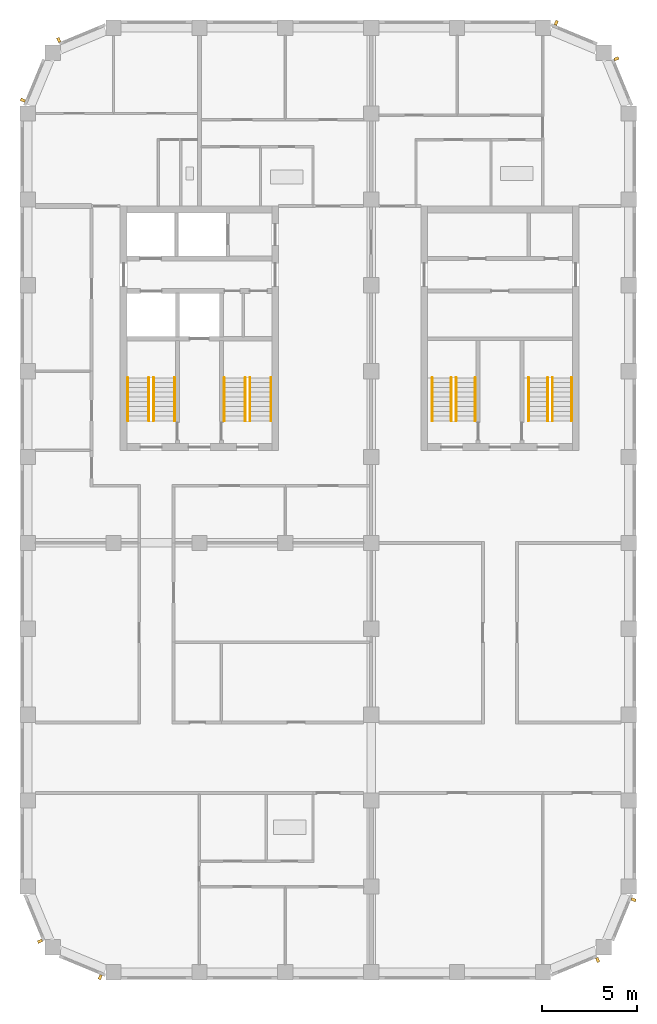
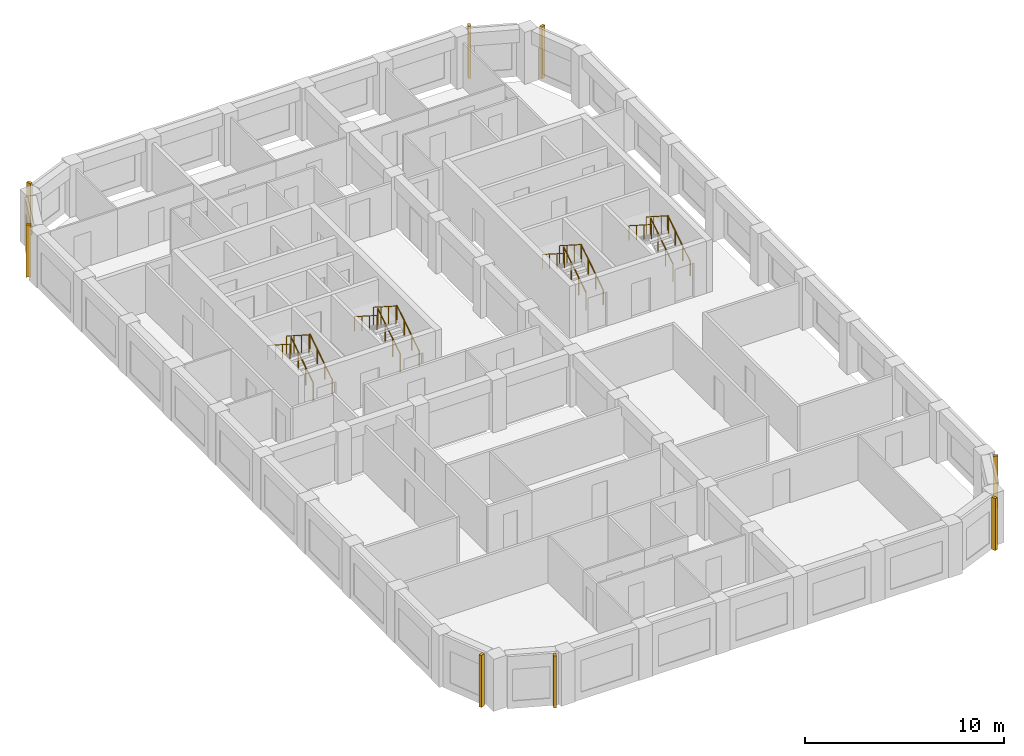
# One storey, part 8 of 9: 16 railings, 8 shading devices.
"""IFC4 building model written with IfcOpenShell, lengths in metres."""

from ifc_helpers import new_model, si_unit, direction, frame, origin, origin_2d, place, context, subcontext, project, spatial, rectangle, circle, extrude, material, type_object, element, save


model = new_model("IFC4")

# Units and contexts
model_context = context("Model", 3, precision=1e-05, world=origin(), true_north=direction((0.0, 1.0)))
body_context = subcontext(model_context, "Body", "Model", "MODEL_VIEW")
ifc_project = project(units=[si_unit("LENGTHUNIT", "METRE"), si_unit("AREAUNIT", "SQUARE_METRE"), si_unit("VOLUMEUNIT", "CUBIC_METRE"), si_unit("PLANEANGLEUNIT", "RADIAN"), si_unit("MASSUNIT", "GRAM", prefix="KILO")], contexts=[model_context])

# Site, building, storey
site_placement = place(None, origin())
site = spatial("IfcSite", under=ifc_project, at=site_placement, CompositionType="ELEMENT")
building_placement = place(site_placement, origin())
building = spatial("IfcBuilding", under=site, at=building_placement, Name="Girih Gate Residences", CompositionType="ELEMENT")
storey_placement = place(building_placement, frame((0.0, 0.0, 206.89501953125)))
storey = spatial("IfcBuildingStorey", under=building, at=storey_placement, Name="L57", CompositionType="ELEMENT", Elevation=206.89501953125)

# Shading devices
ifc_material_1 = material(Name="Precast concrete C50/60", Category="concrete")
shading_device_type = type_object("IfcShadingDeviceType", Name="Corner rib 150x250", PredefinedType="USERDEFINED", material=ifc_material_1)
for number, where, z_axis, x_axis, name in (
    (1, (29.867919921875, 0.646728515625, 0.0), (0.0, 0.0, 1.0), (0.923879532511, 0.382683432365, 0.0), "Corner rib SE0270_0000.0"),
    (2, (31.752685546875, 3.80322265625, 0.0), (0.0, 0.0, 1.0), (0.382683432365, 0.923879532511, 0.0), "Corner rib SE0302_0013.0"),
    (3, (30.853271484375, 47.867919921875, 0.0), (0.0, 0.0, 1.0), (-0.382683432365, 0.923879532511, 0.0), "Corner rib NE0315_0450.0"),
    (4, (27.69677734375, 49.752685546875, 0.0), (0.0, 0.0, 1.0), (-0.923879532511, 0.382683432365, 0.0), "Corner rib NE0302_0482.0"),
    (5, (1.632080078125, 48.853271484375, 0.0), (0.0, 0.0, 1.0), (-0.923879532511, -0.382683432365, 0.0), "Corner rib NW0045_0495.0"),
    (6, (-0.252685546875, 45.69677734375, 0.0), (0.0, 0.0, 1.0), (-0.382683432365, -0.923879532511, 0.0), "Corner rib NW0013_0482.0"),
    (7, (0.646728515625, 1.632080078125, 0.0), (0.0, 0.0, 1.0), (0.382683432365, -0.923879532511, 0.0), "Corner rib SW0000_0045.0"),
    (8, (3.80322265625, -0.252685546875, 0.0), (0.0, 0.0, 1.0), (0.923879532511, -0.382683432365, 0.0), "Corner rib SW0013_0013.0"),
):
    element("IfcShadingDevice", number, at=place(storey_placement, frame(where, z_axis=z_axis, x_axis=x_axis)), inside=storey, type_object=shading_device_type, Name=name, ObjectType="FIN", PredefinedType="USERDEFINED", context=body_context, shape_type="SweptSolid", body=[
        extrude(rectangle(XDim=0.14990234375, YDim=0.25, at=origin_2d()), origin(), (0.0, 0.0, 1.0), 3.199951171875),
    ])

# Railings
ifc_material_2 = material(Name="Stainless steel", Category="steel")
railing_type_1 = type_object("IfcRailingType", Name="Stair guard 1100", PredefinedType="GUARDRAIL", material=ifc_material_2)
railing_1_placement = place(storey_placement, frame((6.60009765625, 28.89990234375, 0.159912109375)))
element("IfcRailing", 9, at=railing_1_placement, inside=storey, type_object=railing_type_1, Name="L57 ST-W1 stair guard 1", PredefinedType="GUARDRAIL", context=body_context, shape_type="SweptSolid", body=[
    extrude(circle(Radius=0.02392578125, at=origin_2d()), frame((0.0, 0.0, 1.076171875), z_axis=(0.0, 0.842239864353, 0.539102968731), x_axis=(-1.0, 0.0, 0.0)), (0.0, 0.0, 1.0), 2.67138671875),
    extrude(circle(Radius=0.02099609375, at=origin_2d()), origin(), (0.0, 0.0, 1.0), 1.052001953125),
    extrude(circle(Radius=0.02099609375, at=origin_2d()), frame((0.0, 0.75, 0.47998046875)), (0.0, 0.0, 1.0), 1.052001953125),
    extrude(circle(Radius=0.02099609375, at=origin_2d()), frame((0.0, 1.5, 0.960205078125)), (0.0, 0.0, 1.0), 1.052001953125),
    extrude(circle(Radius=0.02099609375, at=origin_2d()), frame((0.0, 2.25, 1.440185546875)), (0.0, 0.0, 1.0), 1.052001953125),
])
railing_2_placement = place(storey_placement, frame((6.35009765625, 31.14990234375, 1.760009765625)))
element("IfcRailing", 10, at=railing_2_placement, inside=storey, type_object=railing_type_1, Name="L57 ST-W1 stair guard 2", PredefinedType="GUARDRAIL", context=body_context, shape_type="SweptSolid", body=[
    extrude(circle(Radius=0.02392578125, at=origin_2d()), frame((0.0, 0.0, 1.076171875), z_axis=(0.0, -0.842281359387, 0.539038135598), x_axis=(1.0, 0.0, 0.0)), (0.0, 0.0, 1.0), 2.67138671875),
    extrude(circle(Radius=0.02099609375, at=origin_2d()), origin(), (0.0, 0.0, 1.0), 1.052001953125),
    extrude(circle(Radius=0.02099609375, at=origin_2d()), frame((0.0, -0.75, 0.47998046875)), (0.0, 0.0, 1.0), 1.052001953125),
    extrude(circle(Radius=0.02099609375, at=origin_2d()), frame((0.0, -1.5, 0.9599609375)), (0.0, 0.0, 1.0), 1.052001953125),
    extrude(circle(Radius=0.02099609375, at=origin_2d()), frame((0.0, -2.25, 1.43994140625)), (0.0, 0.0, 1.0), 1.052001953125),
])
railing_3_placement = place(storey_placement, frame((11.64990234375, 28.89990234375, 0.159912109375)))
element("IfcRailing", 11, at=railing_3_placement, inside=storey, type_object=railing_type_1, Name="L57 ST-W2 stair guard 1", PredefinedType="GUARDRAIL", context=body_context, shape_type="SweptSolid", body=[
    extrude(circle(Radius=0.02392578125, at=origin_2d()), frame((0.0, 0.0, 1.076171875), z_axis=(0.0, 0.842239864353, 0.539102968731), x_axis=(-1.0, 0.0, 0.0)), (0.0, 0.0, 1.0), 2.67138671875),
    extrude(circle(Radius=0.02099609375, at=origin_2d()), origin(), (0.0, 0.0, 1.0), 1.052001953125),
    extrude(circle(Radius=0.02099609375, at=origin_2d()), frame((0.0, 0.75, 0.47998046875)), (0.0, 0.0, 1.0), 1.052001953125),
    extrude(circle(Radius=0.02099609375, at=origin_2d()), frame((0.0, 1.5, 0.960205078125)), (0.0, 0.0, 1.0), 1.052001953125),
    extrude(circle(Radius=0.02099609375, at=origin_2d()), frame((0.0, 2.25, 1.440185546875)), (0.0, 0.0, 1.0), 1.052001953125),
])
railing_4_placement = place(storey_placement, frame((11.39990234375, 31.14990234375, 1.760009765625)))
element("IfcRailing", 12, at=railing_4_placement, inside=storey, type_object=railing_type_1, Name="L57 ST-W2 stair guard 2", PredefinedType="GUARDRAIL", context=body_context, shape_type="SweptSolid", body=[
    extrude(circle(Radius=0.02392578125, at=origin_2d()), frame((0.0, 0.0, 1.076171875), z_axis=(0.0, -0.842281359387, 0.539038135598), x_axis=(1.0, 0.0, 0.0)), (0.0, 0.0, 1.0), 2.67138671875),
    extrude(circle(Radius=0.02099609375, at=origin_2d()), origin(), (0.0, 0.0, 1.0), 1.052001953125),
    extrude(circle(Radius=0.02099609375, at=origin_2d()), frame((0.0, -0.75, 0.47998046875)), (0.0, 0.0, 1.0), 1.052001953125),
    extrude(circle(Radius=0.02099609375, at=origin_2d()), frame((0.0, -1.5, 0.9599609375)), (0.0, 0.0, 1.0), 1.052001953125),
    extrude(circle(Radius=0.02099609375, at=origin_2d()), frame((0.0, -2.25, 1.43994140625)), (0.0, 0.0, 1.0), 1.052001953125),
])
railing_5_placement = place(storey_placement, frame((22.449951171875, 28.89990234375, 0.159912109375)))
element("IfcRailing", 13, at=railing_5_placement, inside=storey, type_object=railing_type_1, Name="L57 ST-C1 stair guard 1", PredefinedType="GUARDRAIL", context=body_context, shape_type="SweptSolid", body=[
    extrude(circle(Radius=0.02392578125, at=origin_2d()), frame((0.0, 0.0, 1.076171875), z_axis=(0.0, 0.842239864353, 0.539102968731), x_axis=(-1.0, 0.0, 0.0)), (0.0, 0.0, 1.0), 2.67138671875),
    extrude(circle(Radius=0.02099609375, at=origin_2d()), origin(), (0.0, 0.0, 1.0), 1.052001953125),
    extrude(circle(Radius=0.02099609375, at=origin_2d()), frame((0.0, 0.75, 0.47998046875)), (0.0, 0.0, 1.0), 1.052001953125),
    extrude(circle(Radius=0.02099609375, at=origin_2d()), frame((0.0, 1.5, 0.960205078125)), (0.0, 0.0, 1.0), 1.052001953125),
    extrude(circle(Radius=0.02099609375, at=origin_2d()), frame((0.0, 2.25, 1.440185546875)), (0.0, 0.0, 1.0), 1.052001953125),
])
railing_6_placement = place(storey_placement, frame((22.199951171875, 31.14990234375, 1.760009765625)))
element("IfcRailing", 14, at=railing_6_placement, inside=storey, type_object=railing_type_1, Name="L57 ST-C1 stair guard 2", PredefinedType="GUARDRAIL", context=body_context, shape_type="SweptSolid", body=[
    extrude(circle(Radius=0.02392578125, at=origin_2d()), frame((0.0, 0.0, 1.076171875), z_axis=(0.0, -0.842281359387, 0.539038135598), x_axis=(1.0, 0.0, 0.0)), (0.0, 0.0, 1.0), 2.67138671875),
    extrude(circle(Radius=0.02099609375, at=origin_2d()), origin(), (0.0, 0.0, 1.0), 1.052001953125),
    extrude(circle(Radius=0.02099609375, at=origin_2d()), frame((0.0, -0.75, 0.47998046875)), (0.0, 0.0, 1.0), 1.052001953125),
    extrude(circle(Radius=0.02099609375, at=origin_2d()), frame((0.0, -1.5, 0.9599609375)), (0.0, 0.0, 1.0), 1.052001953125),
    extrude(circle(Radius=0.02099609375, at=origin_2d()), frame((0.0, -2.25, 1.43994140625)), (0.0, 0.0, 1.0), 1.052001953125),
])
railing_7_placement = place(storey_placement, frame((27.5, 28.89990234375, 0.159912109375)))
element("IfcRailing", 15, at=railing_7_placement, inside=storey, type_object=railing_type_1, Name="L57 ST-C2 stair guard 1", PredefinedType="GUARDRAIL", context=body_context, shape_type="SweptSolid", body=[
    extrude(circle(Radius=0.02392578125, at=origin_2d()), frame((0.0, 0.0, 1.076171875), z_axis=(0.0, 0.842239864353, 0.539102968731), x_axis=(-1.0, 0.0, 0.0)), (0.0, 0.0, 1.0), 2.67138671875),
    extrude(circle(Radius=0.02099609375, at=origin_2d()), origin(), (0.0, 0.0, 1.0), 1.052001953125),
    extrude(circle(Radius=0.02099609375, at=origin_2d()), frame((0.0, 0.75, 0.47998046875)), (0.0, 0.0, 1.0), 1.052001953125),
    extrude(circle(Radius=0.02099609375, at=origin_2d()), frame((0.0, 1.5, 0.960205078125)), (0.0, 0.0, 1.0), 1.052001953125),
    extrude(circle(Radius=0.02099609375, at=origin_2d()), frame((0.0, 2.25, 1.440185546875)), (0.0, 0.0, 1.0), 1.052001953125),
])
railing_8_placement = place(storey_placement, frame((27.25, 31.14990234375, 1.760009765625)))
element("IfcRailing", 16, at=railing_8_placement, inside=storey, type_object=railing_type_1, Name="L57 ST-C2 stair guard 2", PredefinedType="GUARDRAIL", context=body_context, shape_type="SweptSolid", body=[
    extrude(circle(Radius=0.02392578125, at=origin_2d()), frame((0.0, 0.0, 1.076171875), z_axis=(0.0, -0.842281359387, 0.539038135598), x_axis=(1.0, 0.0, 0.0)), (0.0, 0.0, 1.0), 2.67138671875),
    extrude(circle(Radius=0.02099609375, at=origin_2d()), origin(), (0.0, 0.0, 1.0), 1.052001953125),
    extrude(circle(Radius=0.02099609375, at=origin_2d()), frame((0.0, -0.75, 0.47998046875)), (0.0, 0.0, 1.0), 1.052001953125),
    extrude(circle(Radius=0.02099609375, at=origin_2d()), frame((0.0, -1.5, 0.9599609375)), (0.0, 0.0, 1.0), 1.052001953125),
    extrude(circle(Radius=0.02099609375, at=origin_2d()), frame((0.0, -2.25, 1.43994140625)), (0.0, 0.0, 1.0), 1.052001953125),
])
railing_type_2 = type_object("IfcRailingType", Name="Stair handrail 900", PredefinedType="HANDRAIL", material=ifc_material_2)
railing_9_placement = place(storey_placement, frame((7.699951171875, 28.89990234375, 0.159912109375)))
element("IfcRailing", 17, at=railing_9_placement, inside=storey, type_object=railing_type_2, Name="L57 ST-W1 stair handrail 1", PredefinedType="HANDRAIL", context=body_context, shape_type="SweptSolid", body=[
    extrude(circle(Radius=0.02392578125, at=origin_2d()), frame((0.0, 0.0, 0.8857421875), z_axis=(0.0, 0.842239864353, 0.539102968731), x_axis=(-1.0, 0.0, 0.0)), (0.0, 0.0, 1.0), 2.67138671875),
    extrude(circle(Radius=0.02099609375, at=origin_2d()), origin(), (0.0, 0.0, 1.0), 0.86181640625),
    extrude(circle(Radius=0.02099609375, at=origin_2d()), frame((0.0, 0.75, 0.47998046875)), (0.0, 0.0, 1.0), 0.86181640625),
    extrude(circle(Radius=0.02099609375, at=origin_2d()), frame((0.0, 1.5, 0.960205078125)), (0.0, 0.0, 1.0), 0.86181640625),
    extrude(circle(Radius=0.02099609375, at=origin_2d()), frame((0.0, 2.25, 1.440185546875)), (0.0, 0.0, 1.0), 0.86181640625),
])
railing_10_placement = place(storey_placement, frame((5.25, 31.14990234375, 1.760009765625)))
element("IfcRailing", 18, at=railing_10_placement, inside=storey, type_object=railing_type_2, Name="L57 ST-W1 stair handrail 2", PredefinedType="HANDRAIL", context=body_context, shape_type="SweptSolid", body=[
    extrude(circle(Radius=0.02392578125, at=origin_2d()), frame((0.0, 0.0, 0.8857421875), z_axis=(0.0, -0.842281359387, 0.539038135598), x_axis=(1.0, 0.0, 0.0)), (0.0, 0.0, 1.0), 2.67138671875),
    extrude(circle(Radius=0.02099609375, at=origin_2d()), origin(), (0.0, 0.0, 1.0), 0.86181640625),
    extrude(circle(Radius=0.02099609375, at=origin_2d()), frame((0.0, -0.75, 0.47998046875)), (0.0, 0.0, 1.0), 0.86181640625),
    extrude(circle(Radius=0.02099609375, at=origin_2d()), frame((0.0, -1.5, 0.9599609375)), (0.0, 0.0, 1.0), 0.86181640625),
    extrude(circle(Radius=0.02099609375, at=origin_2d()), frame((0.0, -2.25, 1.43994140625)), (0.0, 0.0, 1.0), 0.86181640625),
])
railing_11_placement = place(storey_placement, frame((12.75, 28.89990234375, 0.159912109375)))
element("IfcRailing", 19, at=railing_11_placement, inside=storey, type_object=railing_type_2, Name="L57 ST-W2 stair handrail 1", PredefinedType="HANDRAIL", context=body_context, shape_type="SweptSolid", body=[
    extrude(circle(Radius=0.02392578125, at=origin_2d()), frame((0.0, 0.0, 0.8857421875), z_axis=(0.0, 0.842239864353, 0.539102968731), x_axis=(-1.0, 0.0, 0.0)), (0.0, 0.0, 1.0), 2.67138671875),
    extrude(circle(Radius=0.02099609375, at=origin_2d()), origin(), (0.0, 0.0, 1.0), 0.86181640625),
    extrude(circle(Radius=0.02099609375, at=origin_2d()), frame((0.0, 0.75, 0.47998046875)), (0.0, 0.0, 1.0), 0.86181640625),
    extrude(circle(Radius=0.02099609375, at=origin_2d()), frame((0.0, 1.5, 0.960205078125)), (0.0, 0.0, 1.0), 0.86181640625),
    extrude(circle(Radius=0.02099609375, at=origin_2d()), frame((0.0, 2.25, 1.440185546875)), (0.0, 0.0, 1.0), 0.86181640625),
])
railing_12_placement = place(storey_placement, frame((10.300048828125, 31.14990234375, 1.760009765625)))
element("IfcRailing", 20, at=railing_12_placement, inside=storey, type_object=railing_type_2, Name="L57 ST-W2 stair handrail 2", PredefinedType="HANDRAIL", context=body_context, shape_type="SweptSolid", body=[
    extrude(circle(Radius=0.02392578125, at=origin_2d()), frame((0.0, 0.0, 0.8857421875), z_axis=(0.0, -0.842281359387, 0.539038135598), x_axis=(1.0, 0.0, 0.0)), (0.0, 0.0, 1.0), 2.67138671875),
    extrude(circle(Radius=0.02099609375, at=origin_2d()), origin(), (0.0, 0.0, 1.0), 0.86181640625),
    extrude(circle(Radius=0.02099609375, at=origin_2d()), frame((0.0, -0.75, 0.47998046875)), (0.0, 0.0, 1.0), 0.86181640625),
    extrude(circle(Radius=0.02099609375, at=origin_2d()), frame((0.0, -1.5, 0.9599609375)), (0.0, 0.0, 1.0), 0.86181640625),
    extrude(circle(Radius=0.02099609375, at=origin_2d()), frame((0.0, -2.25, 1.43994140625)), (0.0, 0.0, 1.0), 0.86181640625),
])
railing_13_placement = place(storey_placement, frame((23.449951171875, 28.89990234375, 0.159912109375)))
element("IfcRailing", 21, at=railing_13_placement, inside=storey, type_object=railing_type_2, Name="L57 ST-C1 stair handrail 1", PredefinedType="HANDRAIL", context=body_context, shape_type="SweptSolid", body=[
    extrude(circle(Radius=0.02392578125, at=origin_2d()), frame((0.0, 0.0, 0.8857421875), z_axis=(0.0, 0.842239864353, 0.539102968731), x_axis=(-1.0, 0.0, 0.0)), (0.0, 0.0, 1.0), 2.67138671875),
    extrude(circle(Radius=0.02099609375, at=origin_2d()), origin(), (0.0, 0.0, 1.0), 0.86181640625),
    extrude(circle(Radius=0.02099609375, at=origin_2d()), frame((0.0, 0.75, 0.47998046875)), (0.0, 0.0, 1.0), 0.86181640625),
    extrude(circle(Radius=0.02099609375, at=origin_2d()), frame((0.0, 1.5, 0.960205078125)), (0.0, 0.0, 1.0), 0.86181640625),
    extrude(circle(Radius=0.02099609375, at=origin_2d()), frame((0.0, 2.25, 1.440185546875)), (0.0, 0.0, 1.0), 0.86181640625),
])
railing_14_placement = place(storey_placement, frame((21.199951171875, 31.14990234375, 1.760009765625)))
element("IfcRailing", 22, at=railing_14_placement, inside=storey, type_object=railing_type_2, Name="L57 ST-C1 stair handrail 2", PredefinedType="HANDRAIL", context=body_context, shape_type="SweptSolid", body=[
    extrude(circle(Radius=0.02392578125, at=origin_2d()), frame((0.0, 0.0, 0.8857421875), z_axis=(0.0, -0.842281359387, 0.539038135598), x_axis=(1.0, 0.0, 0.0)), (0.0, 0.0, 1.0), 2.67138671875),
    extrude(circle(Radius=0.02099609375, at=origin_2d()), origin(), (0.0, 0.0, 1.0), 0.86181640625),
    extrude(circle(Radius=0.02099609375, at=origin_2d()), frame((0.0, -0.75, 0.47998046875)), (0.0, 0.0, 1.0), 0.86181640625),
    extrude(circle(Radius=0.02099609375, at=origin_2d()), frame((0.0, -1.5, 0.9599609375)), (0.0, 0.0, 1.0), 0.86181640625),
    extrude(circle(Radius=0.02099609375, at=origin_2d()), frame((0.0, -2.25, 1.43994140625)), (0.0, 0.0, 1.0), 0.86181640625),
])
railing_15_placement = place(storey_placement, frame((28.5, 28.89990234375, 0.159912109375)))
element("IfcRailing", 23, at=railing_15_placement, inside=storey, type_object=railing_type_2, Name="L57 ST-C2 stair handrail 1", PredefinedType="HANDRAIL", context=body_context, shape_type="SweptSolid", body=[
    extrude(circle(Radius=0.02392578125, at=origin_2d()), frame((0.0, 0.0, 0.8857421875), z_axis=(0.0, 0.842239864353, 0.539102968731), x_axis=(-1.0, 0.0, 0.0)), (0.0, 0.0, 1.0), 2.67138671875),
    extrude(circle(Radius=0.02099609375, at=origin_2d()), origin(), (0.0, 0.0, 1.0), 0.86181640625),
    extrude(circle(Radius=0.02099609375, at=origin_2d()), frame((0.0, 0.75, 0.47998046875)), (0.0, 0.0, 1.0), 0.86181640625),
    extrude(circle(Radius=0.02099609375, at=origin_2d()), frame((0.0, 1.5, 0.960205078125)), (0.0, 0.0, 1.0), 0.86181640625),
    extrude(circle(Radius=0.02099609375, at=origin_2d()), frame((0.0, 2.25, 1.440185546875)), (0.0, 0.0, 1.0), 0.86181640625),
])
railing_16_placement = place(storey_placement, frame((26.25, 31.14990234375, 1.760009765625)))
element("IfcRailing", 24, at=railing_16_placement, inside=storey, type_object=railing_type_2, Name="L57 ST-C2 stair handrail 2", PredefinedType="HANDRAIL", context=body_context, shape_type="SweptSolid", body=[
    extrude(circle(Radius=0.02392578125, at=origin_2d()), frame((0.0, 0.0, 0.8857421875), z_axis=(0.0, -0.842281359387, 0.539038135598), x_axis=(1.0, 0.0, 0.0)), (0.0, 0.0, 1.0), 2.67138671875),
    extrude(circle(Radius=0.02099609375, at=origin_2d()), origin(), (0.0, 0.0, 1.0), 0.86181640625),
    extrude(circle(Radius=0.02099609375, at=origin_2d()), frame((0.0, -0.75, 0.47998046875)), (0.0, 0.0, 1.0), 0.86181640625),
    extrude(circle(Radius=0.02099609375, at=origin_2d()), frame((0.0, -1.5, 0.9599609375)), (0.0, 0.0, 1.0), 0.86181640625),
    extrude(circle(Radius=0.02099609375, at=origin_2d()), frame((0.0, -2.25, 1.43994140625)), (0.0, 0.0, 1.0), 0.86181640625),
])

save(model, "model.ifc")
